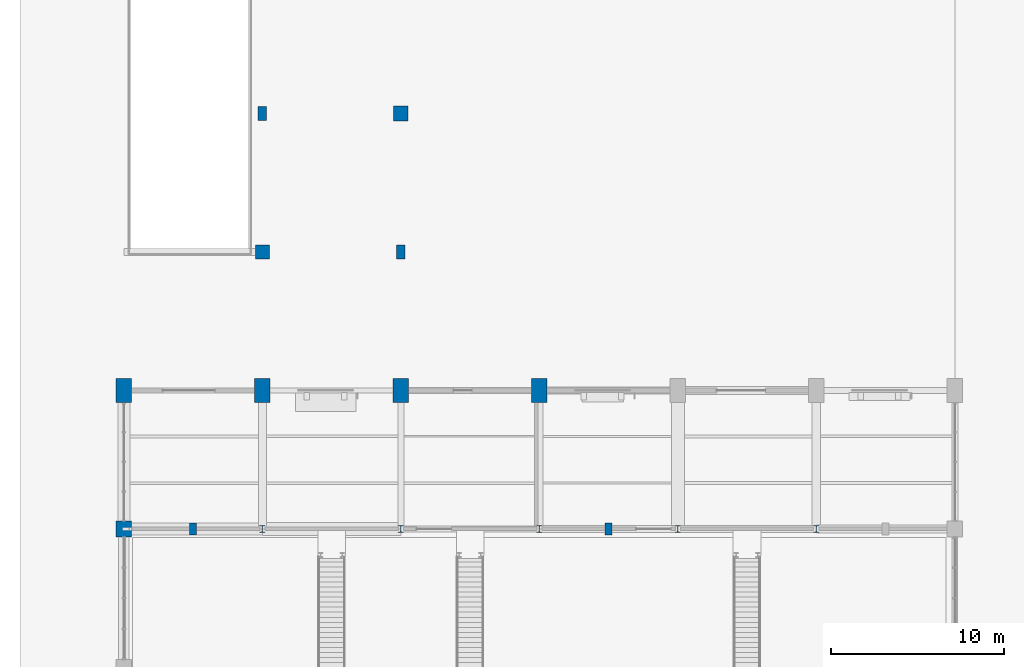
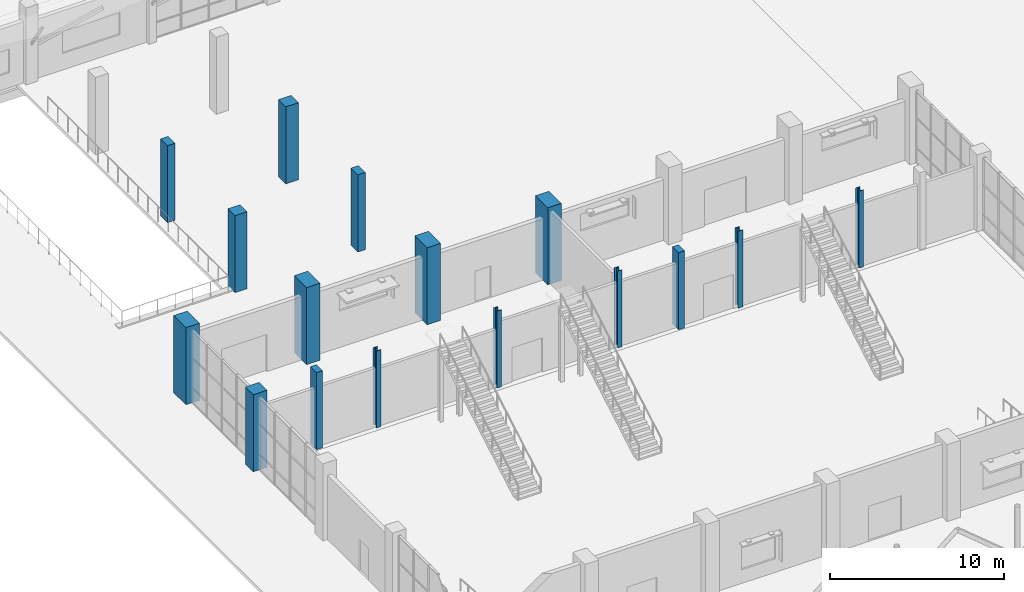
# One storey, part 5 of 123: 16 columns.
"""IFC4 building model written with IfcOpenShell, lengths in metres."""

from ifc_helpers import new_model, si_unit, direction, frame, origin, origin_2d, place, context, subcontext, project, spatial, rectangle, i_section, extrude, material, material_profile, profile_set, type_object, element, save


model = new_model("IFC4")

# Units and contexts
model_context = context("Model", 3, precision=1e-05, world=origin(), true_north=direction((0.0, 1.0)))
body_context = subcontext(model_context, "Body", "Model", "MODEL_VIEW")
ifc_project = project(units=[si_unit("LENGTHUNIT", "METRE"), si_unit("AREAUNIT", "SQUARE_METRE"), si_unit("VOLUMEUNIT", "CUBIC_METRE"), si_unit("PLANEANGLEUNIT", "RADIAN"), si_unit("MASSUNIT", "GRAM", prefix="KILO")], contexts=[model_context])

# Site, building, storey
site_placement = place(None, origin())
site = spatial("IfcSite", under=ifc_project, at=site_placement, CompositionType="ELEMENT")
building_placement = place(site_placement, origin())
building = spatial("IfcBuilding", under=site, at=building_placement, Name="Tenunan Teduh Sports Hall", CompositionType="ELEMENT")
storey_placement = place(building_placement, origin())
storey = spatial("IfcBuildingStorey", under=building, at=storey_placement, Name="L00", CompositionType="ELEMENT", Elevation=0.0)

# Columns
ifc_material_1 = material(Name="Concrete C40/50", Category="concrete")
ifc_material_profile_1 = material_profile(ifc_material_1, rectangle(XDim=0.5, YDim=0.800048828125, at=origin_2d()), Name="RC 500x800")
ifc_profile_set_1 = profile_set([ifc_material_profile_1], Name="Concrete C40/50")
column_type_1 = type_object("IfcColumnType", Name="COL-RC-500x800", PredefinedType="COLUMN", material=ifc_profile_set_1)
for number, where, z_axis, x_axis, name in (
    (1, (14.0, 62.0, 0.0), (0.0, 0.0, 1.0), (1.0, 0.0, 0.0), "COL-C-18-L00-020"),
    (2, (22.0, 54.0, 0.0), (0.0, 0.0, 1.0), (1.0, 0.0, 0.0), "COL-C-18-L00-032"),
):
    element("IfcColumn", number, at=place(storey_placement, frame(where, z_axis=z_axis, x_axis=x_axis)), inside=storey, type_object=column_type_1, Name=name, PredefinedType="COLUMN", context=body_context, shape_type="SweptSolid", body=[
        extrude(rectangle(XDim=0.5, YDim=0.800048828125, at=origin_2d()), origin(), (0.0, 0.0, 1.0), 5.39990234375),
    ])
ifc_material_2 = material(Name="Concrete C40/50", Category="concrete")
ifc_material_profile_2 = material_profile(ifc_material_2, rectangle(XDim=0.800048828125, YDim=0.800048828125, at=origin_2d()), Name="RC 800x800")
ifc_profile_set_2 = profile_set([ifc_material_profile_2], Name="Concrete C40/50")
column_type_2 = type_object("IfcColumnType", Name="COL-RC-800", PredefinedType="COLUMN", material=ifc_profile_set_2)
column_1_placement = place(storey_placement, frame((14.0, 54.0, 0.0), z_axis=(0.0, 0.0, 1.0), x_axis=(1.0, 0.0, 0.0)))
element("IfcColumn", 3, at=column_1_placement, inside=storey, type_object=column_type_2, Name="COL-C-05-L00-019", PredefinedType="COLUMN", context=body_context, shape_type="SweptSolid", body=[
    extrude(rectangle(XDim=0.800048828125, YDim=0.800048828125, at=origin_2d()), origin(), (0.0, 0.0, 1.0), 5.39990234375),
])
ifc_material_3 = material(Name="Concrete C40/50", Category="concrete")
ifc_material_profile_3 = material_profile(ifc_material_3, rectangle(XDim=0.85009765625, YDim=0.85009765625, at=origin_2d()), Name="RC 850x850")
ifc_profile_set_3 = profile_set([ifc_material_profile_3], Name="Concrete C40/50")
column_type_3 = type_object("IfcColumnType", Name="COL-RC-850", PredefinedType="COLUMN", material=ifc_profile_set_3)
column_2_placement = place(storey_placement, frame((22.0, 62.0, 0.0), z_axis=(0.0, 0.0, 1.0), x_axis=(1.0, 0.0, 0.0)))
element("IfcColumn", 4, at=column_2_placement, inside=storey, type_object=column_type_3, Name="COL-C-04-L00-033", PredefinedType="COLUMN", context=body_context, shape_type="SweptSolid", body=[
    extrude(rectangle(XDim=0.85009765625, YDim=0.85009765625, at=origin_2d()), origin(), (0.0, 0.0, 1.0), 5.39990234375),
])
ifc_material_4 = material(Name="Concrete C40/50", Category="concrete")
ifc_material_profile_4 = material_profile(ifc_material_4, rectangle(XDim=0.89990234375, YDim=0.89990234375, at=origin_2d()), Name="RC 900x900")
ifc_profile_set_4 = profile_set([ifc_material_profile_4], Name="Concrete C40/50")
column_type_4 = type_object("IfcColumnType", Name="COL-RC-900", PredefinedType="COLUMN", material=ifc_profile_set_4)
column_3_placement = place(storey_placement, frame((6.0, 38.0, 0.0), z_axis=(0.0, 0.0, 1.0), x_axis=(1.0, 0.0, 0.0)))
element("IfcColumn", 5, at=column_3_placement, inside=storey, type_object=column_type_4, Name="COL-C-03-L00-005", PredefinedType="COLUMN", context=body_context, shape_type="SweptSolid", body=[
    extrude(rectangle(XDim=0.89990234375, YDim=0.89990234375, at=origin_2d()), origin(), (0.0, 0.0, 1.0), 5.39990234375),
])
ifc_material_5 = material(Name="Concrete C40/50", Category="concrete")
ifc_material_profile_5 = material_profile(ifc_material_5, rectangle(XDim=0.89990234375, YDim=1.39990234375, at=origin_2d()), Name="RC 900x1400")
ifc_profile_set_5 = profile_set([ifc_material_profile_5], Name="Concrete C40/50")
column_type_5 = type_object("IfcColumnType", Name="COL-RC-900x1400", PredefinedType="COLUMN", material=ifc_profile_set_5)
for number, where, z_axis, x_axis, name in (
    (6, (6.0, 46.0, 0.0), (0.0, 0.0, 1.0), (1.0, 0.0, 0.0), "COL-C-13-L00-006"),
    (7, (14.0, 46.0, 0.0), (0.0, 0.0, 1.0), (1.0, 0.0, 0.0), "COL-C-13-L00-018"),
    (8, (22.0, 46.0, 0.0), (0.0, 0.0, 1.0), (1.0, 0.0, 0.0), "COL-C-13-L00-031"),
    (9, (30.0, 46.0, 0.0), (0.0, 0.0, 1.0), (1.0, 0.0, 0.0), "COL-C-13-L00-044"),
):
    element("IfcColumn", number, at=place(storey_placement, frame(where, z_axis=z_axis, x_axis=x_axis)), inside=storey, type_object=column_type_5, Name=name, PredefinedType="COLUMN", context=body_context, shape_type="SweptSolid", body=[
        extrude(rectangle(XDim=0.89990234375, YDim=1.39990234375, at=origin_2d()), origin(), (0.0, 0.0, 1.0), 5.39990234375),
    ])
ifc_material_6 = material(Name="Steel S355", Category="steel")
ifc_material_profile_6 = material_profile(ifc_material_6, i_section(OverallWidth=0.300048828125, OverallDepth=0.39990234375, WebThickness=0.013427734375, FlangeThickness=0.02392578125, FilletRadius=0.027099609375, at=origin_2d()), Name="HEB 400")
ifc_profile_set_6 = profile_set([ifc_material_profile_6], Name="Steel S355")
column_type_6 = type_object("IfcColumnType", Name="COL-ST-HEB400", PredefinedType="COLUMN", material=ifc_profile_set_6)
for number, where, z_axis, x_axis, name in (
    (10, (14.0, 38.0, 0.0), (0.0, 0.0, 1.0), (1.0, 0.0, 0.0), "COL-SC-01-L00-017"),
    (11, (22.0, 38.0, 0.0), (0.0, 0.0, 1.0), (1.0, 0.0, 0.0), "COL-SC-01-L00-030"),
    (12, (30.0, 38.0, 0.0), (0.0, 0.0, 1.0), (1.0, 0.0, 0.0), "COL-SC-01-L00-043"),
    (13, (38.0, 38.0, 0.0), (0.0, 0.0, 1.0), (1.0, 0.0, 0.0), "COL-SC-01-L00-053"),
    (14, (46.0, 38.0, 0.0), (0.0, 0.0, 1.0), (1.0, 0.0, 0.0), "COL-SC-01-L00-063"),
):
    element("IfcColumn", number, at=place(storey_placement, frame(where, z_axis=z_axis, x_axis=x_axis)), inside=storey, type_object=column_type_6, Name=name, PredefinedType="COLUMN", context=body_context, shape_type="SweptSolid", body=[
        extrude(i_section(OverallWidth=0.300048828125, OverallDepth=0.39990234375, WebThickness=0.013427734375, FlangeThickness=0.02392578125, FilletRadius=0.027099609375, at=origin_2d()), origin(), (0.0, 0.0, 1.0), 5.39990234375),
    ])
ifc_material_7 = material(Name="Concrete C40/50", Category="concrete")
ifc_material_profile_7 = material_profile(ifc_material_7, rectangle(XDim=0.39990234375, YDim=0.699951171875, at=origin_2d()), Name="PIL 400x700")
ifc_profile_set_7 = profile_set([ifc_material_profile_7], Name="Concrete C40/50")
column_type_7 = type_object("IfcColumnType", Name="PIL-400x700", PredefinedType="PILASTER", material=ifc_profile_set_7)
for number, where, z_axis, x_axis, name in (
    (15, (10.0, 38.0, 0.0), (0.0, 0.0, 1.0), (1.0, 0.0, 0.0), "PIL-PL-C2-L00-01"),
    (16, (34.0, 38.0, 0.0), (0.0, 0.0, 1.0), (1.0, 0.0, 0.0), "PIL-PL-C2-L00-02"),
):
    element("IfcColumn", number, at=place(storey_placement, frame(where, z_axis=z_axis, x_axis=x_axis)), inside=storey, type_object=column_type_7, Name=name, PredefinedType="PILASTER", context=body_context, shape_type="SweptSolid", body=[
        extrude(rectangle(XDim=0.39990234375, YDim=0.699951171875, at=origin_2d()), origin(), (0.0, 0.0, 1.0), 5.39990234375),
    ])

save(model, "model.ifc")
